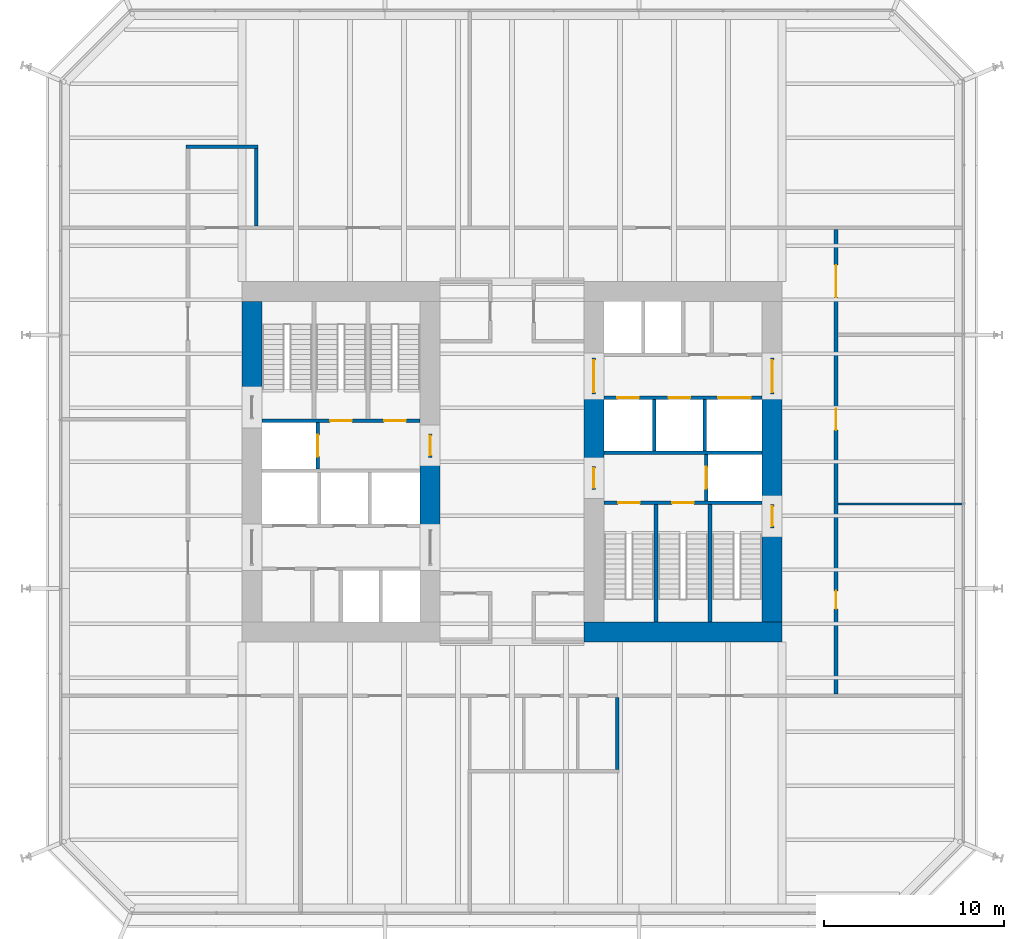
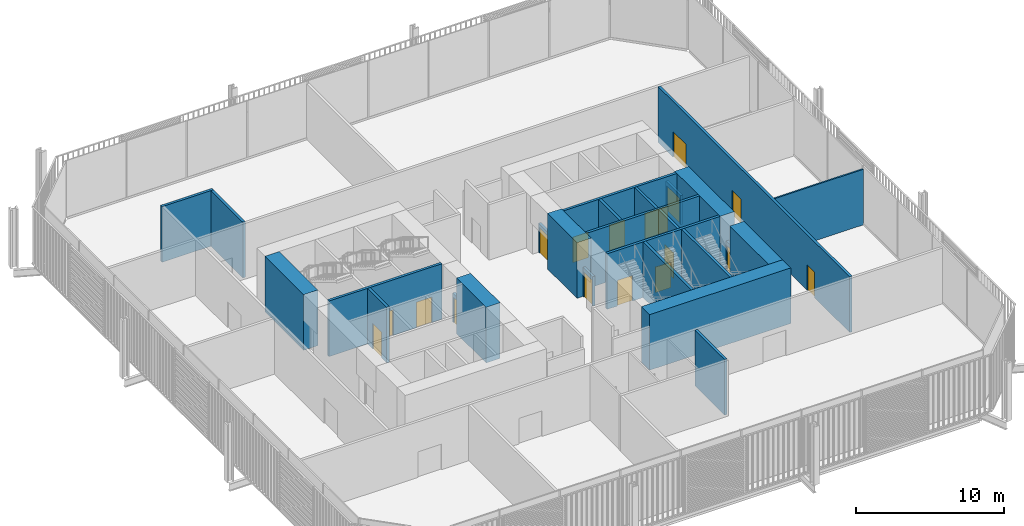
# One storey, part 19 of 22: 26 walls, 17 doors, 17 openings.
"""IFC4 building model written with IfcOpenShell, lengths in metres."""

from ifc_helpers import new_model, si_unit, direction, frame, frame_2d, origin, place, context, subcontext, project, spatial, rectangle, extrude, material, layer, layer_set, type_object, element, fill, save


model = new_model("IFC4")

# Units and contexts
model_context = context("Model", 3, precision=1e-05, world=origin(), true_north=direction((0.0, 1.0)))
body_context = subcontext(model_context, "Body", "Model", "MODEL_VIEW")
ifc_project = project(units=[si_unit("LENGTHUNIT", "METRE"), si_unit("AREAUNIT", "SQUARE_METRE"), si_unit("VOLUMEUNIT", "CUBIC_METRE"), si_unit("PLANEANGLEUNIT", "RADIAN"), si_unit("MASSUNIT", "GRAM", prefix="KILO")], contexts=[model_context])

# Site, building, storey
site_placement = place(None, origin())
site = spatial("IfcSite", under=ifc_project, at=site_placement, CompositionType="ELEMENT")
building_placement = place(site_placement, origin())
building = spatial("IfcBuilding", under=site, at=building_placement, Name="Millrace Tower", CompositionType="ELEMENT")
storey_placement = place(building_placement, frame((0.0, 0.0, 25.699951171875)))
storey = spatial("IfcBuildingStorey", under=building, at=storey_placement, Name="L06", CompositionType="ELEMENT", Elevation=25.699951171875)

# Walls
ifc_material_1 = material(Name="Concrete C80", Category="concrete")
ifc_layer_1 = layer(ifc_material_1, 1.10009765625)
ifc_layer_set_1 = layer_set([ifc_layer_1], Name="Concrete C80")
wall_type_1 = type_object("IfcWallType", Name="Core wall 1100 Concrete C80", PredefinedType="SHEAR", material=ifc_layer_set_1)
wall_1_placement = place(storey_placement, frame((-14.449951171875, 3.679931640625, 0.0), z_axis=(0.0, 0.0, 1.0), x_axis=(0.0, 1.0, 0.0)))
element("IfcWall", 1, at=wall_1_placement, inside=storey, type_object=wall_type_1, Name="Core wall W L06", PredefinedType="SHEAR", context=body_context, shape_type="SweptSolid", body=[
    extrude(rectangle(XDim=5.219970703125, YDim=1.10009765625, at=frame_2d((2.60986328125, 0.0))), origin(), (0.0, 0.0, 1.0), 4.574951171875),
])
wall_2_placement = place(storey_placement, frame((-4.550048828125, -3.75, 0.0), z_axis=(0.0, 0.0, 1.0), x_axis=(0.0, 1.0, 0.0)))
element("IfcWall", 2, at=wall_2_placement, inside=storey, type_object=wall_type_1, Name="Core wall W L06", PredefinedType="SHEAR", context=body_context, shape_type="SweptSolid", body=[
    extrude(rectangle(XDim=4.0, YDim=1.10009765625, at=frame_2d((2.0, 0.0))), origin(), (0.0, 0.0, 1.0), 4.574951171875),
])
wall_3_placement = place(storey_placement, frame((15.0, -9.449951171875, 0.0), z_axis=(0.0, 0.0, 1.0), x_axis=(-1.0, 0.0, 0.0)))
element("IfcWall", 3, at=wall_3_placement, inside=storey, type_object=wall_type_1, Name="Core wall E L06", PredefinedType="SHEAR", context=body_context, shape_type="SweptSolid", body=[
    extrude(rectangle(XDim=11.0, YDim=1.10009765625, at=frame_2d((5.5, 0.0))), origin(), (0.0, 0.0, 1.0), 4.574951171875),
])
wall_4_placement = place(storey_placement, frame((14.449951171875, 3.75, 0.0), z_axis=(0.0, 0.0, 1.0), x_axis=(0.0, -1.0, 0.0)))
element("IfcWall", 4, at=wall_4_placement, inside=storey, type_object=wall_type_1, Name="Core wall E L06", PredefinedType="SHEAR", context=body_context, shape_type="SweptSolid", body=[
    extrude(rectangle(XDim=6.1298828125, YDim=1.10009765625, at=frame_2d((3.06494140625, 0.0))), origin(), (0.0, 0.0, 1.0), 4.574951171875),
])
wall_5_placement = place(storey_placement, frame((14.449951171875, -3.679931640625, 0.0), z_axis=(0.0, 0.0, 1.0), x_axis=(0.0, -1.0, 0.0)))
element("IfcWall", 5, at=wall_5_placement, inside=storey, type_object=wall_type_1, Name="Core wall E L06", PredefinedType="SHEAR", context=body_context, shape_type="SweptSolid", body=[
    extrude(rectangle(XDim=5.219970703125, YDim=1.10009765625, at=frame_2d((2.60986328125, 0.0))), origin(), (0.0, 0.0, 1.0), 4.574951171875),
])
wall_6_placement = place(storey_placement, frame((4.550048828125, 3.75, 0.0), z_axis=(0.0, 0.0, 1.0), x_axis=(0.0, -1.0, 0.0)))
element("IfcWall", 6, at=wall_6_placement, inside=storey, type_object=wall_type_1, Name="Core wall E L06", PredefinedType="SHEAR", context=body_context, shape_type="SweptSolid", body=[
    extrude(rectangle(XDim=4.0, YDim=1.10009765625, at=frame_2d((2.0, 0.0))), origin(), (0.0, 0.0, 1.0), 4.574951171875),
])
ifc_material_2 = material(Name="Masonry partition, fire-rated", Category="masonry")
ifc_layer_2 = layer(ifc_material_2, 0.199951171875)
ifc_layer_set_2 = layer_set([ifc_layer_2], Name="Masonry partition, fire-rated")
wall_type_2 = type_object("IfcWallType", Name="Corridor wall 200", PredefinedType="PARTITIONING", material=ifc_layer_set_2)
wall_7_placement = place(storey_placement, frame((-18.10009765625, 17.5, 0.0), z_axis=(0.0, 0.0, 1.0), x_axis=(1.0, 0.0, 0.0)))
element("IfcWall", 7, at=wall_7_placement, inside=storey, type_object=wall_type_2, Name="Corridor wall L06", PredefinedType="PARTITIONING", context=body_context, shape_type="SweptSolid", body=[
    extrude(rectangle(XDim=4.0, YDim=0.199951171875, at=frame_2d((2.0, 0.0))), origin(), (0.0, 0.0, 1.0), 4.574951171875),
])

# Wall, openings, doors
wall_8_placement = place(storey_placement, frame((18.0, -12.89990234375, 0.0), z_axis=(0.0, 0.0, 1.0), x_axis=(0.0, 1.0, 0.0)))
wall_8 = element("IfcWall", 8, at=wall_8_placement, inside=storey, type_object=wall_type_2, Name="Corridor wall L06", PredefinedType="PARTITIONING", context=body_context, shape_type="SweptSolid", body=[
    extrude(rectangle(XDim=25.7998046875, YDim=0.199951171875, at=frame_2d((12.89990234375, 0.0))), origin(), (0.0, 0.0, 1.0), 4.574951171875),
])
opening_1_placement = place(wall_8_placement, frame((4.72509765625, 0.0, 0.0)))
opening_1 = element("IfcOpeningElement", 9, at=opening_1_placement, cuts=wall_8, Name="Opening 06-P014", PredefinedType="OPENING", context=body_context, shape_type="SweptSolid", body=[
    extrude(rectangle(XDim=1.0, YDim=2.10009765625, at=frame_2d((0.5, 1.050048828125))), frame((0.0, 0.10986328125, 0.0), z_axis=(0.0, -1.0, 0.0), x_axis=(1.0, 0.0, 0.0)), (0.0, 0.0, 1.0), 0.219970703125),
])
opening_2_placement = place(wall_8_placement, frame((14.64990234375, 0.0, 0.0)))
opening_2 = element("IfcOpeningElement", 10, at=opening_2_placement, cuts=wall_8, Name="Opening 06-P015", PredefinedType="OPENING", context=body_context, shape_type="SweptSolid", body=[
    extrude(rectangle(XDim=1.199951171875, YDim=2.10009765625, at=frame_2d((0.60009765625, 1.050048828125))), frame((0.0, 0.10986328125, 0.0), z_axis=(0.0, -1.0, 0.0), x_axis=(1.0, 0.0, 0.0)), (0.0, 0.0, 1.0), 0.219970703125),
])
opening_3_placement = place(wall_8_placement, frame((22.02490234375, 0.0, 0.0)))
opening_3 = element("IfcOpeningElement", 11, at=opening_3_placement, cuts=wall_8, Name="Opening 06-P016", PredefinedType="OPENING", context=body_context, shape_type="SweptSolid", body=[
    extrude(rectangle(XDim=1.800048828125, YDim=2.10009765625, at=frame_2d((0.89990234375, 1.050048828125))), frame((0.0, 0.10986328125, 0.0), z_axis=(0.0, -1.0, 0.0), x_axis=(1.0, 0.0, 0.0)), (0.0, 0.0, 1.0), 0.219970703125),
])
ifc_material_3 = material(Name="Steel door set, fire-rated", Category="steel")
door_type_1 = type_object("IfcDoorType", Name="Corridor door 1000 x 2100", OperationType="SINGLE_SWING_LEFT", PredefinedType="DOOR", material=ifc_material_3)
door_1_placement = place(opening_1_placement, frame((1.0, 0.0, 0.0), z_axis=(0.0, 0.0, 1.0), x_axis=(-1.0, 0.0, 0.0)))
door_1 = element("IfcDoor", 12, at=door_1_placement, inside=storey, type_object=door_type_1, Name="Door 06-P014", OperationType="SINGLE_SWING_RIGHT", OverallHeight=2.10009765625, OverallWidth=1.0, PredefinedType="DOOR", context=body_context, shape_type="SweptSolid", body=[
    extrude(rectangle(XDim=1.0, YDim=2.10009765625, at=frame_2d((0.5, 1.050048828125))), frame((0.0, 0.02490234375, 0.0), z_axis=(0.0, -1.0, 0.0), x_axis=(1.0, 0.0, 0.0)), (0.0, 0.0, 1.0), 0.050048828125),
])
fill(opening_1, door_1)
ifc_material_4 = material(Name="Steel door set, fire-rated", Category="steel")
door_type_2 = type_object("IfcDoorType", Name="Corridor door 1200 x 2100", OperationType="SINGLE_SWING_LEFT", PredefinedType="DOOR", material=ifc_material_4)
door_2_placement = place(opening_2_placement, frame((1.199951171875, 0.0, 0.0), z_axis=(0.0, 0.0, 1.0), x_axis=(-1.0, 0.0, 0.0)))
door_2 = element("IfcDoor", 13, at=door_2_placement, inside=storey, type_object=door_type_2, Name="Door 06-P015", OperationType="SINGLE_SWING_LEFT", OverallHeight=2.10009765625, OverallWidth=1.199951171875, PredefinedType="DOOR", context=body_context, shape_type="SweptSolid", body=[
    extrude(rectangle(XDim=1.199951171875, YDim=2.10009765625, at=frame_2d((0.60009765625, 1.050048828125))), frame((0.0, 0.02490234375, 0.0), z_axis=(0.0, -1.0, 0.0), x_axis=(1.0, 0.0, 0.0)), (0.0, 0.0, 1.0), 0.050048828125),
])
fill(opening_2, door_2)
ifc_material_5 = material(Name="Steel door set, fire-rated", Category="steel")
door_type_3 = type_object("IfcDoorType", Name="Data hall door 1800 x 2100", OperationType="DOUBLE_DOOR_SINGLE_SWING", PredefinedType="DOOR", material=ifc_material_5)
door_3_placement = place(opening_3_placement, frame((1.800048828125, 0.0, 0.0), z_axis=(0.0, 0.0, 1.0), x_axis=(-1.0, 0.0, 0.0)))
door_3 = element("IfcDoor", 14, at=door_3_placement, inside=storey, type_object=door_type_3, Name="Door 06-P016", OperationType="DOUBLE_DOOR_SINGLE_SWING", OverallHeight=2.10009765625, OverallWidth=1.800048828125, PredefinedType="DOOR", context=body_context, shape_type="SweptSolid", body=[
    extrude(rectangle(XDim=1.800048828125, YDim=2.10009765625, at=frame_2d((0.89990234375, 1.050048828125))), frame((0.0, 0.02490234375, 0.0), z_axis=(0.0, -1.0, 0.0), x_axis=(1.0, 0.0, 0.0)), (0.0, 0.0, 1.0), 0.050048828125),
])
fill(opening_3, door_3)

# Walls
wall_9_placement = place(storey_placement, frame((5.85009765625, -17.10009765625, 0.0), z_axis=(0.0, 0.0, 1.0), x_axis=(0.0, 1.0, 0.0)))
element("IfcWall", 15, at=wall_9_placement, inside=storey, type_object=wall_type_2, Name="Corridor wall L06", PredefinedType="PARTITIONING", context=body_context, shape_type="SweptSolid", body=[
    extrude(rectangle(XDim=4.0, YDim=0.199951171875, at=frame_2d((2.0, 0.0))), origin(), (0.0, 0.0, 1.0), 4.574951171875),
])
wall_10_placement = place(storey_placement, frame((-14.199951171875, 13.10009765625, 0.0), z_axis=(0.0, 0.0, 1.0), x_axis=(0.0, 1.0, 0.0)))
element("IfcWall", 16, at=wall_10_placement, inside=storey, type_object=wall_type_2, Name="Corridor wall L06", PredefinedType="PARTITIONING", context=body_context, shape_type="SweptSolid", body=[
    extrude(rectangle(XDim=4.2998046875, YDim=0.199951171875, at=frame_2d((2.14990234375, 0.0))), origin(), (0.0, 0.0, 1.0), 4.574951171875),
])

# Wall, opening, door
ifc_material_6 = material(Name="Masonry partition, fire-rated", Category="masonry")
ifc_layer_3 = layer(ifc_material_6, 0.199951171875)
ifc_layer_set_3 = layer_set([ifc_layer_3], Name="Masonry partition, fire-rated")
wall_type_3 = type_object("IfcWallType", Name="Lift shaft wall 200", PredefinedType="PARTITIONING", material=ifc_layer_set_3)
wall_11_placement = place(storey_placement, frame((-10.800048828125, -0.39990234375, 0.0), z_axis=(0.0, 0.0, 1.0), x_axis=(0.0, 1.0, 0.0)))
wall_11 = element("IfcWall", 17, at=wall_11_placement, inside=storey, type_object=wall_type_3, Name="Lift shaft wall W L06", PredefinedType="PARTITIONING", context=body_context, shape_type="SweptSolid", body=[
    extrude(rectangle(XDim=2.579833984375, YDim=0.199951171875, at=frame_2d((1.2900390625, 0.0))), origin(), (0.0, 0.0, 1.0), 4.574951171875),
])
opening_4_placement = place(wall_11_placement, frame((0.68994140625, 0.0, 0.0)))
opening_4 = element("IfcOpeningElement", 18, at=opening_4_placement, cuts=wall_11, Name="Opening 06-LD08", PredefinedType="OPENING", context=body_context, shape_type="SweptSolid", body=[
    extrude(rectangle(XDim=1.199951171875, YDim=2.10009765625, at=frame_2d((0.60009765625, 1.050048828125))), frame((0.0, 0.10986328125, 0.0), z_axis=(0.0, -1.0, 0.0), x_axis=(1.0, 0.0, 0.0)), (0.0, 0.0, 1.0), 0.219970703125),
])
ifc_material_7 = material(Name="Stainless steel, fire-rated", Category="steel")
door_type_4 = type_object("IfcDoorType", Name="Lift landing door 1200 x 2100", OperationType="DOUBLE_DOOR_SLIDING", PredefinedType="DOOR", material=ifc_material_7)
door_4_placement = place(opening_4_placement, origin())
door_4 = element("IfcDoor", 19, at=door_4_placement, inside=storey, type_object=door_type_4, Name="Lift landing door LF8 L06", OperationType="DOUBLE_DOOR_SLIDING", OverallHeight=2.10009765625, OverallWidth=1.199951171875, PredefinedType="DOOR", context=body_context, shape_type="SweptSolid", body=[
    extrude(rectangle(XDim=1.199951171875, YDim=2.10009765625, at=frame_2d((0.60009765625, 1.050048828125))), frame((0.0, 0.02490234375, 0.0), z_axis=(0.0, -1.0, 0.0), x_axis=(1.0, 0.0, 0.0)), (0.0, 0.0, 1.0), 0.050048828125),
])
fill(opening_4, door_4)

# Wall, openings, doors
wall_12_placement = place(storey_placement, frame((13.89990234375, 3.550048828125, 0.0), z_axis=(0.0, 0.0, 1.0), x_axis=(-1.0, 0.0, 0.0)))
wall_12 = element("IfcWall", 20, at=wall_12_placement, inside=storey, type_object=wall_type_3, Name="Lift shaft wall E L06", PredefinedType="PARTITIONING", context=body_context, shape_type="SweptSolid", body=[
    extrude(rectangle(XDim=8.7998046875, YDim=0.199951171875, at=frame_2d((4.39990234375, 0.0))), origin(), (0.0, 0.0, 1.0), 4.574951171875),
])
opening_5_placement = place(wall_12_placement, frame((0.64990234375, 0.0, 0.0)))
opening_5 = element("IfcOpeningElement", 21, at=opening_5_placement, cuts=wall_12, Name="Opening 06-LD13", PredefinedType="OPENING", context=body_context, shape_type="SweptSolid", body=[
    extrude(rectangle(XDim=1.800048828125, YDim=2.10009765625, at=frame_2d((0.89990234375, 1.050048828125))), frame((0.0, 0.10986328125, 0.0), z_axis=(0.0, -1.0, 0.0), x_axis=(1.0, 0.0, 0.0)), (0.0, 0.0, 1.0), 0.219970703125),
])
opening_6_placement = place(wall_12_placement, frame((4.0, 0.0, 0.0)))
opening_6 = element("IfcOpeningElement", 22, at=opening_6_placement, cuts=wall_12, Name="Opening 06-LD14", PredefinedType="OPENING", context=body_context, shape_type="SweptSolid", body=[
    extrude(rectangle(XDim=1.199951171875, YDim=2.10009765625, at=frame_2d((0.60009765625, 1.050048828125))), frame((0.0, 0.10986328125, 0.0), z_axis=(0.0, -1.0, 0.0), x_axis=(1.0, 0.0, 0.0)), (0.0, 0.0, 1.0), 0.219970703125),
])
opening_7_placement = place(wall_12_placement, frame((6.85009765625, 0.0, 0.0)))
opening_7 = element("IfcOpeningElement", 23, at=opening_7_placement, cuts=wall_12, Name="Opening 06-LD15", PredefinedType="OPENING", context=body_context, shape_type="SweptSolid", body=[
    extrude(rectangle(XDim=1.199951171875, YDim=2.10009765625, at=frame_2d((0.60009765625, 1.050048828125))), frame((0.0, 0.10986328125, 0.0), z_axis=(0.0, -1.0, 0.0), x_axis=(1.0, 0.0, 0.0)), (0.0, 0.0, 1.0), 0.219970703125),
])
door_5_placement = place(opening_6_placement, origin())
door_5 = element("IfcDoor", 24, at=door_5_placement, inside=storey, type_object=door_type_4, Name="Lift landing door LF14 L06", OperationType="DOUBLE_DOOR_SLIDING", OverallHeight=2.10009765625, OverallWidth=1.199951171875, PredefinedType="DOOR", context=body_context, shape_type="SweptSolid", body=[
    extrude(rectangle(XDim=1.199951171875, YDim=2.10009765625, at=frame_2d((0.60009765625, 1.050048828125))), frame((0.0, 0.02490234375, 0.0), z_axis=(0.0, -1.0, 0.0), x_axis=(1.0, 0.0, 0.0)), (0.0, 0.0, 1.0), 0.050048828125),
])
fill(opening_6, door_5)
door_6_placement = place(opening_7_placement, origin())
door_6 = element("IfcDoor", 25, at=door_6_placement, inside=storey, type_object=door_type_4, Name="Lift landing door LF15 L06", OperationType="DOUBLE_DOOR_SLIDING", OverallHeight=2.10009765625, OverallWidth=1.199951171875, PredefinedType="DOOR", context=body_context, shape_type="SweptSolid", body=[
    extrude(rectangle(XDim=1.199951171875, YDim=2.10009765625, at=frame_2d((0.60009765625, 1.050048828125))), frame((0.0, 0.02490234375, 0.0), z_axis=(0.0, -1.0, 0.0), x_axis=(1.0, 0.0, 0.0)), (0.0, 0.0, 1.0), 0.050048828125),
])
fill(opening_7, door_6)
ifc_material_8 = material(Name="Stainless steel, fire-rated", Category="steel")
door_type_5 = type_object("IfcDoorType", Name="Lift landing door 1800 x 2100", OperationType="DOUBLE_DOOR_SLIDING", PredefinedType="DOOR", material=ifc_material_8)
door_7_placement = place(opening_5_placement, origin())
door_7 = element("IfcDoor", 26, at=door_7_placement, inside=storey, type_object=door_type_5, Name="Lift landing door LF13 L06", OperationType="DOUBLE_DOOR_SLIDING", OverallHeight=2.10009765625, OverallWidth=1.800048828125, PredefinedType="DOOR", context=body_context, shape_type="SweptSolid", body=[
    extrude(rectangle(XDim=1.800048828125, YDim=2.10009765625, at=frame_2d((0.89990234375, 1.050048828125))), frame((0.0, 0.02490234375, 0.0), z_axis=(0.0, -1.0, 0.0), x_axis=(1.0, 0.0, 0.0)), (0.0, 0.0, 1.0), 0.050048828125),
])
fill(opening_5, door_7)

# Wall
wall_13_placement = place(storey_placement, frame((13.89990234375, 0.5, 0.0), z_axis=(0.0, 0.0, 1.0), x_axis=(-1.0, 0.0, 0.0)))
element("IfcWall", 27, at=wall_13_placement, inside=storey, type_object=wall_type_3, Name="Lift shaft wall E L06", PredefinedType="PARTITIONING", context=body_context, shape_type="SweptSolid", body=[
    extrude(rectangle(XDim=8.7998046875, YDim=0.199951171875, at=frame_2d((4.39990234375, 0.0))), origin(), (0.0, 0.0, 1.0), 4.574951171875),
])

# Wall, opening, door
wall_14_placement = place(storey_placement, frame((10.800048828125, 0.39990234375, 0.0), z_axis=(0.0, 0.0, 1.0), x_axis=(0.0, -1.0, 0.0)))
wall_14 = element("IfcWall", 28, at=wall_14_placement, inside=storey, type_object=wall_type_3, Name="Lift shaft wall E L06", PredefinedType="PARTITIONING", context=body_context, shape_type="SweptSolid", body=[
    extrude(rectangle(XDim=2.579833984375, YDim=0.199951171875, at=frame_2d((1.2900390625, 0.0))), origin(), (0.0, 0.0, 1.0), 4.574951171875),
])
opening_8_placement = place(wall_14_placement, frame((0.68994140625, 0.0, 0.0)))
opening_8 = element("IfcOpeningElement", 29, at=opening_8_placement, cuts=wall_14, Name="Opening 06-LD16", PredefinedType="OPENING", context=body_context, shape_type="SweptSolid", body=[
    extrude(rectangle(XDim=1.199951171875, YDim=2.10009765625, at=frame_2d((0.60009765625, 1.050048828125))), frame((0.0, 0.10986328125, 0.0), z_axis=(0.0, -1.0, 0.0), x_axis=(1.0, 0.0, 0.0)), (0.0, 0.0, 1.0), 0.219970703125),
])
door_8_placement = place(opening_8_placement, origin())
door_8 = element("IfcDoor", 30, at=door_8_placement, inside=storey, type_object=door_type_4, Name="Lift landing door LF16 L06", OperationType="DOUBLE_DOOR_SLIDING", OverallHeight=2.10009765625, OverallWidth=1.199951171875, PredefinedType="DOOR", context=body_context, shape_type="SweptSolid", body=[
    extrude(rectangle(XDim=1.199951171875, YDim=2.10009765625, at=frame_2d((0.60009765625, 1.050048828125))), frame((0.0, 0.02490234375, 0.0), z_axis=(0.0, -1.0, 0.0), x_axis=(1.0, 0.0, 0.0)), (0.0, 0.0, 1.0), 0.050048828125),
])
fill(opening_8, door_8)

# Walls
for number, where, z_axis, x_axis, name in (
    (31, (10.699951171875, 3.449951171875, 0.0), (0.0, 0.0, 1.0), (0.0, -1.0, 0.0), "Lift shaft wall E L06"),
    (32, (7.89990234375, 3.449951171875, 0.0), (0.0, 0.0, 1.0), (0.0, -1.0, 0.0), "Lift shaft wall E L06"),
):
    element("IfcWall", number, at=place(storey_placement, frame(where, z_axis=z_axis, x_axis=x_axis)), inside=storey, type_object=wall_type_3, Name=name, PredefinedType="PARTITIONING", context=body_context, shape_type="SweptSolid", body=[
        extrude(rectangle(XDim=2.849853515625, YDim=0.199951171875, at=frame_2d((1.4248046875, 0.0))), origin(), (0.0, 0.0, 1.0), 4.574951171875),
    ])

# Wall, opening, door
ifc_material_9 = material(Name="Masonry partition, fire-rated", Category="masonry")
ifc_layer_4 = layer(ifc_material_9, 0.199951171875)
ifc_layer_set_4 = layer_set([ifc_layer_4], Name="Masonry partition, fire-rated")
wall_type_4 = type_object("IfcWallType", Name="Lobby wall 200", PredefinedType="PARTITIONING", material=ifc_layer_set_4)
wall_15_placement = place(storey_placement, frame((-4.550048828125, 0.25, 0.0), z_axis=(0.0, 0.0, 1.0), x_axis=(0.0, 1.0, 0.0)))
wall_15 = element("IfcWall", 33, at=wall_15_placement, inside=storey, type_object=wall_type_4, Name="Lobby wall W L06", PredefinedType="PARTITIONING", context=body_context, shape_type="SweptSolid", body=[
    extrude(rectangle(XDim=1.300048828125, YDim=0.199951171875, at=frame_2d((0.64990234375, 0.0))), origin(), (0.0, 0.0, 1.0), 2.400146484375),
])
opening_9_placement = place(wall_15_placement, frame((0.10009765625, 0.0, 0.0)))
opening_9 = element("IfcOpeningElement", 34, at=opening_9_placement, cuts=wall_15, Name="Opening 06-C004", PredefinedType="OPENING", context=body_context, shape_type="SweptSolid", body=[
    extrude(rectangle(XDim=1.10009765625, YDim=2.10009765625, at=frame_2d((0.550048828125, 1.050048828125))), frame((0.0, 0.10986328125, 0.0), z_axis=(0.0, -1.0, 0.0), x_axis=(1.0, 0.0, 0.0)), (0.0, 0.0, 1.0), 0.219970703125),
])
ifc_material_10 = material(Name="Steel door, fire-rated", Category="steel")
door_type_6 = type_object("IfcDoorType", Name="Lobby door 1100 x 2100", OperationType="SINGLE_SWING_LEFT", PredefinedType="DOOR", material=ifc_material_10)
door_9_placement = place(opening_9_placement, origin())
door_9 = element("IfcDoor", 35, at=door_9_placement, inside=storey, type_object=door_type_6, Name="Lobby door 06-C004", OperationType="SINGLE_SWING_RIGHT", OverallHeight=2.10009765625, OverallWidth=1.10009765625, PredefinedType="DOOR", context=body_context, shape_type="SweptSolid", body=[
    extrude(rectangle(XDim=1.10009765625, YDim=2.10009765625, at=frame_2d((0.550048828125, 1.050048828125))), frame((0.0, 0.02490234375, 0.0), z_axis=(0.0, -1.0, 0.0), x_axis=(1.0, 0.0, 0.0)), (0.0, 0.0, 1.0), 0.050048828125),
])
fill(opening_9, door_9)

wall_16_placement = place(storey_placement, frame((14.449951171875, 5.75, 0.0), z_axis=(0.0, 0.0, 1.0), x_axis=(0.0, -1.0, 0.0)))
wall_16 = element("IfcWall", 36, at=wall_16_placement, inside=storey, type_object=wall_type_4, Name="Lobby wall E L06", PredefinedType="PARTITIONING", context=body_context, shape_type="SweptSolid", body=[
    extrude(rectangle(XDim=2.0, YDim=0.199951171875, at=frame_2d((1.0, 0.0))), origin(), (0.0, 0.0, 1.0), 2.400146484375),
])
opening_10_placement = place(wall_16_placement, frame((0.10009765625, 0.0, 0.0)))
opening_10 = element("IfcOpeningElement", 37, at=opening_10_placement, cuts=wall_16, Name="Opening 06-C009", PredefinedType="OPENING", context=body_context, shape_type="SweptSolid", body=[
    extrude(rectangle(XDim=1.800048828125, YDim=2.10009765625, at=frame_2d((0.89990234375, 1.050048828125))), frame((0.0, 0.10986328125, 0.0), z_axis=(0.0, -1.0, 0.0), x_axis=(1.0, 0.0, 0.0)), (0.0, 0.0, 1.0), 0.219970703125),
])
ifc_material_11 = material(Name="Steel door, fire-rated", Category="steel")
door_type_7 = type_object("IfcDoorType", Name="Lobby door 1800 x 2100", OperationType="DOUBLE_DOOR_SINGLE_SWING", PredefinedType="DOOR", material=ifc_material_11)
door_10_placement = place(opening_10_placement, origin())
door_10 = element("IfcDoor", 38, at=door_10_placement, inside=storey, type_object=door_type_7, Name="Lobby door 06-C009", OperationType="DOUBLE_DOOR_SINGLE_SWING", OverallHeight=2.10009765625, OverallWidth=1.800048828125, PredefinedType="DOOR", context=body_context, shape_type="SweptSolid", body=[
    extrude(rectangle(XDim=1.800048828125, YDim=2.10009765625, at=frame_2d((0.89990234375, 1.050048828125))), frame((0.0, 0.02490234375, 0.0), z_axis=(0.0, -1.0, 0.0), x_axis=(1.0, 0.0, 0.0)), (0.0, 0.0, 1.0), 0.050048828125),
])
fill(opening_10, door_10)

wall_17_placement = place(storey_placement, frame((4.550048828125, 5.75, 0.0), z_axis=(0.0, 0.0, 1.0), x_axis=(0.0, -1.0, 0.0)))
wall_17 = element("IfcWall", 39, at=wall_17_placement, inside=storey, type_object=wall_type_4, Name="Lobby wall E L06", PredefinedType="PARTITIONING", context=body_context, shape_type="SweptSolid", body=[
    extrude(rectangle(XDim=2.0, YDim=0.199951171875, at=frame_2d((1.0, 0.0))), origin(), (0.0, 0.0, 1.0), 2.400146484375),
])
opening_11_placement = place(wall_17_placement, frame((0.10009765625, 0.0, 0.0)))
opening_11 = element("IfcOpeningElement", 40, at=opening_11_placement, cuts=wall_17, Name="Opening 06-C011", PredefinedType="OPENING", context=body_context, shape_type="SweptSolid", body=[
    extrude(rectangle(XDim=1.800048828125, YDim=2.10009765625, at=frame_2d((0.89990234375, 1.050048828125))), frame((0.0, 0.10986328125, 0.0), z_axis=(0.0, -1.0, 0.0), x_axis=(1.0, 0.0, 0.0)), (0.0, 0.0, 1.0), 0.219970703125),
])
door_11_placement = place(opening_11_placement, origin())
door_11 = element("IfcDoor", 41, at=door_11_placement, inside=storey, type_object=door_type_7, Name="Lobby door 06-C011", OperationType="DOUBLE_DOOR_SINGLE_SWING", OverallHeight=2.10009765625, OverallWidth=1.800048828125, PredefinedType="DOOR", context=body_context, shape_type="SweptSolid", body=[
    extrude(rectangle(XDim=1.800048828125, YDim=2.10009765625, at=frame_2d((0.89990234375, 1.050048828125))), frame((0.0, 0.02490234375, 0.0), z_axis=(0.0, -1.0, 0.0), x_axis=(1.0, 0.0, 0.0)), (0.0, 0.0, 1.0), 0.050048828125),
])
fill(opening_11, door_11)

wall_18_placement = place(storey_placement, frame((4.550048828125, -0.25, 0.0), z_axis=(0.0, 0.0, 1.0), x_axis=(0.0, -1.0, 0.0)))
wall_18 = element("IfcWall", 42, at=wall_18_placement, inside=storey, type_object=wall_type_4, Name="Lobby wall E L06", PredefinedType="PARTITIONING", context=body_context, shape_type="SweptSolid", body=[
    extrude(rectangle(XDim=1.300048828125, YDim=0.199951171875, at=frame_2d((0.64990234375, 0.0))), origin(), (0.0, 0.0, 1.0), 2.400146484375),
])
opening_12_placement = place(wall_18_placement, frame((0.10009765625, 0.0, 0.0)))
opening_12 = element("IfcOpeningElement", 43, at=opening_12_placement, cuts=wall_18, Name="Opening 06-C012", PredefinedType="OPENING", context=body_context, shape_type="SweptSolid", body=[
    extrude(rectangle(XDim=1.10009765625, YDim=2.10009765625, at=frame_2d((0.550048828125, 1.050048828125))), frame((0.0, 0.10986328125, 0.0), z_axis=(0.0, -1.0, 0.0), x_axis=(1.0, 0.0, 0.0)), (0.0, 0.0, 1.0), 0.219970703125),
])
door_12_placement = place(opening_12_placement, origin())
door_12 = element("IfcDoor", 44, at=door_12_placement, inside=storey, type_object=door_type_6, Name="Lobby door 06-C012", OperationType="SINGLE_SWING_LEFT", OverallHeight=2.10009765625, OverallWidth=1.10009765625, PredefinedType="DOOR", context=body_context, shape_type="SweptSolid", body=[
    extrude(rectangle(XDim=1.10009765625, YDim=2.10009765625, at=frame_2d((0.550048828125, 1.050048828125))), frame((0.0, 0.02490234375, 0.0), z_axis=(0.0, -1.0, 0.0), x_axis=(1.0, 0.0, 0.0)), (0.0, 0.0, 1.0), 0.050048828125),
])
fill(opening_12, door_12)

# Wall
ifc_material_12 = material(Name="Gypsum board partition")
ifc_layer_5 = layer(ifc_material_12, 0.1201171875)
ifc_layer_set_5 = layer_set([ifc_layer_5], Name="Gypsum board partition")
wall_type_5 = type_object("IfcWallType", Name="Partition wall 120", PredefinedType="PARTITIONING", material=ifc_layer_set_5)
wall_19_placement = place(storey_placement, frame((18.10009765625, -2.35009765625, 0.0), z_axis=(0.0, 0.0, 1.0), x_axis=(1.0, 0.0, 0.0)))
element("IfcWall", 45, at=wall_19_placement, inside=storey, type_object=wall_type_5, Name="Partition wall L06", PredefinedType="PARTITIONING", context=body_context, shape_type="SweptSolid", body=[
    extrude(rectangle(XDim=6.929931640625, YDim=0.1201171875, at=frame_2d((3.46484375, 0.0))), origin(), (0.0, 0.0, 1.0), 4.574951171875),
])

# Wall, openings, doors
ifc_material_13 = material(Name="Concrete C40", Category="concrete")
ifc_layer_6 = layer(ifc_material_13, 0.199951171875)
ifc_layer_set_6 = layer_set([ifc_layer_6], Name="Concrete C40")
wall_type_6 = type_object("IfcWallType", Name="Stair enclosure wall 200 Concrete C40", PredefinedType="SHEAR", material=ifc_layer_set_6)
wall_20_placement = place(storey_placement, frame((-13.89990234375, 2.280029296875, 0.0), z_axis=(0.0, 0.0, 1.0), x_axis=(1.0, 0.0, 0.0)))
wall_20 = element("IfcWall", 46, at=wall_20_placement, inside=storey, type_object=wall_type_6, Name="Stair enclosure wall W L06", PredefinedType="SHEAR", context=body_context, shape_type="SweptSolid", body=[
    extrude(rectangle(XDim=8.7998046875, YDim=0.199951171875, at=frame_2d((4.39990234375, 0.0))), origin(), (0.0, 0.0, 1.0), 4.574951171875),
])
opening_13_placement = place(wall_20_placement, frame((3.800048828125, 0.0, 0.0)))
opening_13 = element("IfcOpeningElement", 47, at=opening_13_placement, cuts=wall_20, Name="Opening 06-C007", PredefinedType="OPENING", context=body_context, shape_type="SweptSolid", body=[
    extrude(rectangle(XDim=1.199951171875, YDim=2.10009765625, at=frame_2d((0.60009765625, 1.050048828125))), frame((0.0, 0.10986328125, 0.0), z_axis=(0.0, -1.0, 0.0), x_axis=(1.0, 0.0, 0.0)), (0.0, 0.0, 1.0), 0.219970703125),
])
opening_14_placement = place(wall_20_placement, frame((6.800048828125, 0.0, 0.0)))
opening_14 = element("IfcOpeningElement", 48, at=opening_14_placement, cuts=wall_20, Name="Opening 06-C008", PredefinedType="OPENING", context=body_context, shape_type="SweptSolid", body=[
    extrude(rectangle(XDim=1.199951171875, YDim=2.10009765625, at=frame_2d((0.60009765625, 1.050048828125))), frame((0.0, 0.10986328125, 0.0), z_axis=(0.0, -1.0, 0.0), x_axis=(1.0, 0.0, 0.0)), (0.0, 0.0, 1.0), 0.219970703125),
])
ifc_material_14 = material(Name="Steel door, fire-rated", Category="steel")
door_type_8 = type_object("IfcDoorType", Name="Stair door 1200 x 2100", OperationType="SINGLE_SWING_LEFT", PredefinedType="DOOR", material=ifc_material_14)
door_13_placement = place(opening_13_placement, frame((1.199951171875, 0.0, 0.0), z_axis=(0.0, 0.0, 1.0), x_axis=(-1.0, 0.0, 0.0)))
door_13 = element("IfcDoor", 49, at=door_13_placement, inside=storey, type_object=door_type_8, Name="Stair door 06-C007", OperationType="SINGLE_SWING_RIGHT", OverallHeight=2.10009765625, OverallWidth=1.199951171875, PredefinedType="DOOR", context=body_context, shape_type="SweptSolid", body=[
    extrude(rectangle(XDim=1.199951171875, YDim=2.10009765625, at=frame_2d((0.60009765625, 1.050048828125))), frame((0.0, 0.02490234375, 0.0), z_axis=(0.0, -1.0, 0.0), x_axis=(1.0, 0.0, 0.0)), (0.0, 0.0, 1.0), 0.050048828125),
])
fill(opening_13, door_13)
door_14_placement = place(opening_14_placement, frame((1.199951171875, 0.0, 0.0), z_axis=(0.0, 0.0, 1.0), x_axis=(-1.0, 0.0, 0.0)))
door_14 = element("IfcDoor", 50, at=door_14_placement, inside=storey, type_object=door_type_8, Name="Stair door 06-C008", OperationType="SINGLE_SWING_LEFT", OverallHeight=2.10009765625, OverallWidth=1.199951171875, PredefinedType="DOOR", context=body_context, shape_type="SweptSolid", body=[
    extrude(rectangle(XDim=1.199951171875, YDim=2.10009765625, at=frame_2d((0.60009765625, 1.050048828125))), frame((0.0, 0.02490234375, 0.0), z_axis=(0.0, -1.0, 0.0), x_axis=(1.0, 0.0, 0.0)), (0.0, 0.0, 1.0), 0.050048828125),
])
fill(opening_14, door_14)

# Wall, opening, door
wall_21_placement = place(storey_placement, frame((14.449951171875, -2.3798828125, 0.0), z_axis=(0.0, 0.0, 1.0), x_axis=(0.0, -1.0, 0.0)))
wall_21 = element("IfcWall", 51, at=wall_21_placement, inside=storey, type_object=wall_type_6, Name="Stair enclosure wall E L06", PredefinedType="SHEAR", context=body_context, shape_type="SweptSolid", body=[
    extrude(rectangle(XDim=1.300048828125, YDim=0.199951171875, at=frame_2d((0.64990234375, 0.0))), origin(), (0.0, 0.0, 1.0), 2.400146484375),
])
opening_15_placement = place(wall_21_placement, frame((0.10009765625, 0.0, 0.0)))
opening_15 = element("IfcOpeningElement", 52, at=opening_15_placement, cuts=wall_21, Name="Opening 06-C010", PredefinedType="OPENING", context=body_context, shape_type="SweptSolid", body=[
    extrude(rectangle(XDim=1.10009765625, YDim=2.10009765625, at=frame_2d((0.550048828125, 1.050048828125))), frame((0.0, 0.10986328125, 0.0), z_axis=(0.0, -1.0, 0.0), x_axis=(1.0, 0.0, 0.0)), (0.0, 0.0, 1.0), 0.219970703125),
])
ifc_material_15 = material(Name="Steel door, fire-rated", Category="steel")
door_type_9 = type_object("IfcDoorType", Name="Stair door 1100 x 2100", OperationType="SINGLE_SWING_LEFT", PredefinedType="DOOR", material=ifc_material_15)
door_15_placement = place(opening_15_placement, origin())
door_15 = element("IfcDoor", 53, at=door_15_placement, inside=storey, type_object=door_type_9, Name="Stair door 06-C010", OperationType="SINGLE_SWING_LEFT", OverallHeight=2.10009765625, OverallWidth=1.10009765625, PredefinedType="DOOR", context=body_context, shape_type="SweptSolid", body=[
    extrude(rectangle(XDim=1.10009765625, YDim=2.10009765625, at=frame_2d((0.550048828125, 1.050048828125))), frame((0.0, 0.02490234375, 0.0), z_axis=(0.0, -1.0, 0.0), x_axis=(1.0, 0.0, 0.0)), (0.0, 0.0, 1.0), 0.050048828125),
])
fill(opening_15, door_15)

# Wall, openings, doors
wall_22_placement = place(storey_placement, frame((13.89990234375, -2.280029296875, 0.0), z_axis=(0.0, 0.0, 1.0), x_axis=(-1.0, 0.0, 0.0)))
wall_22 = element("IfcWall", 54, at=wall_22_placement, inside=storey, type_object=wall_type_6, Name="Stair enclosure wall E L06", PredefinedType="SHEAR", context=body_context, shape_type="SweptSolid", body=[
    extrude(rectangle(XDim=8.7998046875, YDim=0.199951171875, at=frame_2d((4.39990234375, 0.0))), origin(), (0.0, 0.0, 1.0), 4.574951171875),
])
opening_16_placement = place(wall_22_placement, frame((3.800048828125, 0.0, 0.0)))
opening_16 = element("IfcOpeningElement", 55, at=opening_16_placement, cuts=wall_22, Name="Opening 06-C015", PredefinedType="OPENING", context=body_context, shape_type="SweptSolid", body=[
    extrude(rectangle(XDim=1.199951171875, YDim=2.10009765625, at=frame_2d((0.60009765625, 1.050048828125))), frame((0.0, 0.10986328125, 0.0), z_axis=(0.0, -1.0, 0.0), x_axis=(1.0, 0.0, 0.0)), (0.0, 0.0, 1.0), 0.219970703125),
])
opening_17_placement = place(wall_22_placement, frame((6.800048828125, 0.0, 0.0)))
opening_17 = element("IfcOpeningElement", 56, at=opening_17_placement, cuts=wall_22, Name="Opening 06-C016", PredefinedType="OPENING", context=body_context, shape_type="SweptSolid", body=[
    extrude(rectangle(XDim=1.199951171875, YDim=2.10009765625, at=frame_2d((0.60009765625, 1.050048828125))), frame((0.0, 0.10986328125, 0.0), z_axis=(0.0, -1.0, 0.0), x_axis=(1.0, 0.0, 0.0)), (0.0, 0.0, 1.0), 0.219970703125),
])
door_16_placement = place(opening_16_placement, frame((1.199951171875, 0.0, 0.0), z_axis=(0.0, 0.0, 1.0), x_axis=(-1.0, 0.0, 0.0)))
door_16 = element("IfcDoor", 57, at=door_16_placement, inside=storey, type_object=door_type_8, Name="Stair door 06-C015", OperationType="SINGLE_SWING_RIGHT", OverallHeight=2.10009765625, OverallWidth=1.199951171875, PredefinedType="DOOR", context=body_context, shape_type="SweptSolid", body=[
    extrude(rectangle(XDim=1.199951171875, YDim=2.10009765625, at=frame_2d((0.60009765625, 1.050048828125))), frame((0.0, 0.02490234375, 0.0), z_axis=(0.0, -1.0, 0.0), x_axis=(1.0, 0.0, 0.0)), (0.0, 0.0, 1.0), 0.050048828125),
])
fill(opening_16, door_16)
door_17_placement = place(opening_17_placement, frame((1.199951171875, 0.0, 0.0), z_axis=(0.0, 0.0, 1.0), x_axis=(-1.0, 0.0, 0.0)))
door_17 = element("IfcDoor", 58, at=door_17_placement, inside=storey, type_object=door_type_8, Name="Stair door 06-C016", OperationType="SINGLE_SWING_LEFT", OverallHeight=2.10009765625, OverallWidth=1.199951171875, PredefinedType="DOOR", context=body_context, shape_type="SweptSolid", body=[
    extrude(rectangle(XDim=1.199951171875, YDim=2.10009765625, at=frame_2d((0.60009765625, 1.050048828125))), frame((0.0, 0.02490234375, 0.0), z_axis=(0.0, -1.0, 0.0), x_axis=(1.0, 0.0, 0.0)), (0.0, 0.0, 1.0), 0.050048828125),
])
fill(opening_17, door_17)

# Walls
for number, where, z_axis, x_axis, name in (
    (59, (11.0, -2.3798828125, 0.0), (0.0, 0.0, 1.0), (0.0, -1.0, 0.0), "Stair enclosure wall E L06"),
    (60, (8.0, -2.3798828125, 0.0), (0.0, 0.0, 1.0), (0.0, -1.0, 0.0), "Stair enclosure wall E L06"),
):
    element("IfcWall", number, at=place(storey_placement, frame(where, z_axis=z_axis, x_axis=x_axis)), inside=storey, type_object=wall_type_6, Name=name, PredefinedType="SHEAR", context=body_context, shape_type="SweptSolid", body=[
        extrude(rectangle(XDim=6.52001953125, YDim=0.199951171875, at=frame_2d((3.260009765625, 0.0))), origin(), (0.0, 0.0, 1.0), 4.574951171875),
    ])

save(model, "model.ifc")
